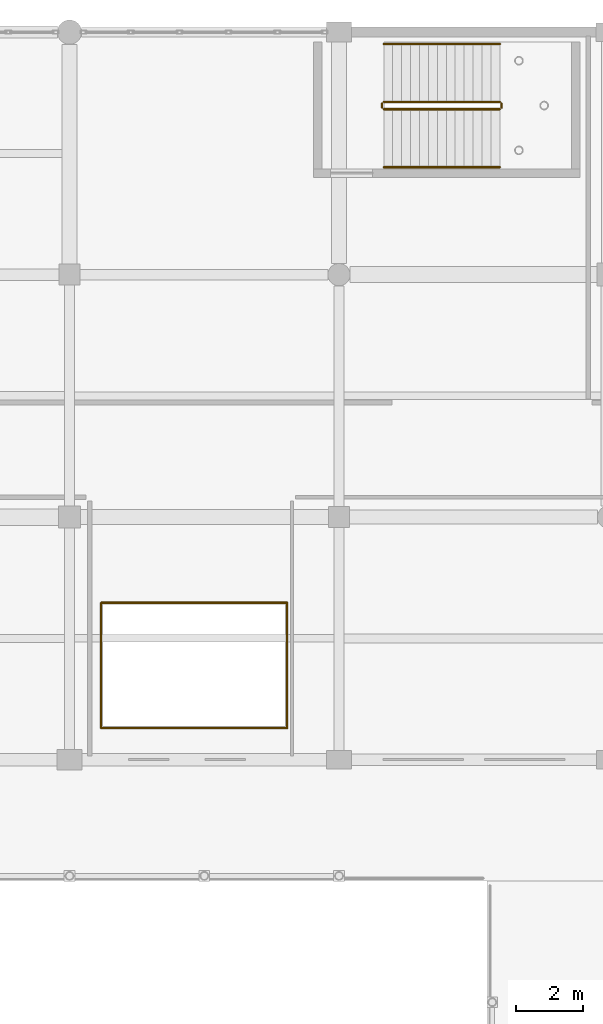
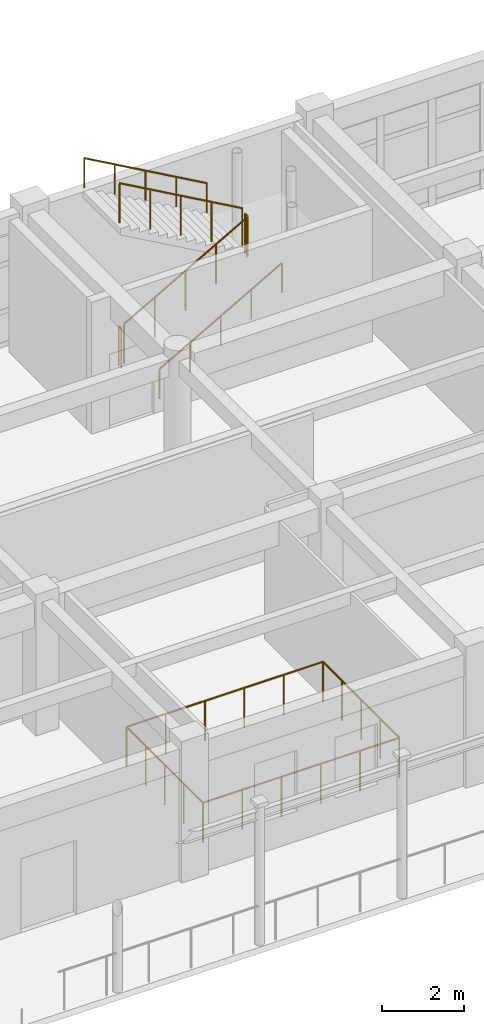
# One storey, part 195 of 195: 10 railings.
"""IFC4 building model written with IfcOpenShell, lengths in metres."""

import ifcopenshell
import ifcopenshell.guid

model = None  # the IFC model being written
_history = None  # IfcOwnerHistory: only IFC2X3 demands one
_inside = {}  # id of a spatial element -> (the spatial element, [elements in it])
_under = {}  # id of a project, library or spatial element -> (it, [spatial elements below it])
_declared = {}  # id of a project -> (the project, [libraries it declares])
_typed = {}  # id of a type object -> (the type object, [elements of that type])
_made_of = {}  # id of a material, layer set ... -> (it, [elements and type objects made of it])


def new_model(schema):
    """Start an empty IFC model of exactly this schema.

    Asked for "IFC4X3", IfcOpenShell would pick the latest addendum, in which some entities
    have other attributes; the version numbers below select the first issue.
    IFC2X3 requires an IfcOwnerHistory on every rooted entity: one is made here for all.
    """
    global model, _history
    if schema == "IFC4X3":
        model = ifcopenshell.file(schema_version=(4, 3, 0, 0))
    else:
        model = ifcopenshell.file(schema=schema)
    _inside.clear()
    _under.clear()
    _declared.clear()
    _typed.clear()
    _made_of.clear()
    _history = None
    if model.schema == "IFC2X3":
        org = make("IfcOrganization", Name="unknown")
        user = make(
            "IfcPersonAndOrganization",
            ThePerson=make("IfcPerson", FamilyName="unknown"),
            TheOrganization=org,
        )
        app = make(
            "IfcApplication",
            ApplicationDeveloper=org,
            Version="unknown",
            ApplicationFullName="unknown",
            ApplicationIdentifier="unknown",
        )
        _history = make(
            "IfcOwnerHistory",
            OwningUser=user,
            OwningApplication=app,
            ChangeAction="ADDED",
            CreationDate=0,
        )
    return model


def make(cls, **values):
    """One entity of the class cls with the attributes given. An attribute that is None is left unset."""
    return model.create_entity(
        cls, **{name: value for name, value in values.items() if value is not None}
    )


def rooted(cls, **values):
    """An entity with a GlobalId (a new one), such as an element, a storey or a relation."""
    return make(cls, GlobalId=ifcopenshell.guid.new(), OwnerHistory=_history, **values)


def si_unit(unit_type, name, prefix=None):
    """IfcSIUnit, for example si_unit("LENGTHUNIT", "METRE", prefix="MILLI")."""
    return make("IfcSIUnit", UnitType=unit_type, Prefix=prefix, Name=name)


def assignment(units):
    """IfcUnitAssignment: the units of a project."""
    return None if units is None else make("IfcUnitAssignment", Units=units)


def point(xyz):
    """IfcCartesianPoint."""
    return None if xyz is None else make("IfcCartesianPoint", Coordinates=xyz)


def direction(xyz):
    """IfcDirection."""
    return None if xyz is None else make("IfcDirection", DirectionRatios=xyz)


def frame(location, z_axis=None, x_axis=None):
    """IfcAxis2Placement3D, a coordinate frame: its origin and axes. An axis left out is left unset."""
    return make(
        "IfcAxis2Placement3D",
        Location=point(location),
        Axis=direction(z_axis),
        RefDirection=direction(x_axis),
    )


def frame_2d(location, x_axis=None):
    """IfcAxis2Placement2D, a coordinate frame in the plane: its origin and x axis."""
    return make(
        "IfcAxis2Placement2D", Location=point(location), RefDirection=direction(x_axis)
    )


def origin():
    """The frame at (0, 0, 0) with its axes left unset."""
    return frame((0.0, 0.0, 0.0))


def origin_2d():
    """The frame at (0, 0) in the plane with its x axis left unset."""
    return frame_2d((0.0, 0.0))


def place(relative_to, where):
    """IfcLocalPlacement: puts the frame where relative to a parent placement (None: the world)."""
    return make(
        "IfcLocalPlacement", PlacementRelTo=relative_to, RelativePlacement=where
    )


def context(
    kind, dimensions, precision=None, world=None, true_north=None, identifier=None
):
    """IfcGeometricRepresentationContext, for example the 3D "Model" context."""
    return make(
        "IfcGeometricRepresentationContext",
        ContextIdentifier=identifier,
        ContextType=kind,
        CoordinateSpaceDimension=dimensions,
        Precision=precision,
        WorldCoordinateSystem=world,
        TrueNorth=true_north,
    )


def subcontext(parent, identifier, kind, view, scale=None):
    """IfcGeometricRepresentationSubContext, for example "Body" below "Model"."""
    return make(
        "IfcGeometricRepresentationSubContext",
        ContextIdentifier=identifier,
        ContextType=kind,
        ParentContext=parent,
        TargetScale=scale,
        TargetView=view,
    )


def project(units=None, contexts=None):
    """IfcProject with its units and contexts."""
    return rooted(
        "IfcProject",
        Name="project",
        RepresentationContexts=contexts,
        UnitsInContext=assignment(units),
    )


def spatial(cls, under=None, at=None, **own):
    """A site, building, storey or space (cls), placed at a placement, below another one or the project."""
    s = rooted(cls, ObjectPlacement=at, **own)
    if under is not None:
        _under.setdefault(under.id(), (under, []))[1].append(s)
    return s


def profile(cls, at=None, kind="AREA", **sizes):
    """A parametric profile (cls). Its sizes go by their IFC names, for example OverallWidth=200.0."""
    return make(cls, ProfileType=kind, Position=at, **sizes)


def circle(**sizes):
    """IfcCircleProfileDef."""
    return profile("IfcCircleProfileDef", **sizes)


def extrude(swept, where, along, depth):
    """IfcExtrudedAreaSolid: the profile swept, set in the frame where, extruded along a direction by depth."""
    return make(
        "IfcExtrudedAreaSolid",
        SweptArea=swept,
        Position=where,
        ExtrudedDirection=direction(along),
        Depth=depth,
    )


def shape(context_of_items, identifier, shape_type, items):
    """IfcShapeRepresentation: the items that make up one representation, for example the "Body"."""
    return make(
        "IfcShapeRepresentation",
        ContextOfItems=context_of_items,
        RepresentationIdentifier=identifier,
        RepresentationType=shape_type,
        Items=items,
    )


def material(Name=None, Category=None):
    """IfcMaterial."""
    return make("IfcMaterial", Name=Name, Category=Category)


def made_of(thing, what):
    """Note that an element or type object is made of a material, layer set ...; save() writes the relation."""
    if what is not None:
        _made_of.setdefault(what.id(), (what, []))[1].append(thing)
    return thing


def type_object(cls, material=None, **own):
    """A type object (cls), such as IfcWallType, which elements share."""
    return made_of(rooted(cls, **own), material)


def element(
    cls,
    number,
    at=None,
    inside=None,
    cuts=None,
    type_object=None,
    material=None,
    context=None,
    identifier="Body",
    shape_type=None,
    held_by="IfcProductDefinitionShape",
    body=None,
    shapes=None,
    **own,
):
    """One element of the class cls, such as IfcWall. Its Tag is "e" and its number.

    at: its placement. inside: the storey or other place that contains it. cuts: it is an
    opening in that element (IfcRelVoidsElement). A single representation is given by context,
    identifier, shape_type and body (its items); several are given by shapes. held_by: the class
    of the entity that holds the representations. save() writes the other relations.
    """
    e = rooted(cls, Tag="e%d" % number, ObjectPlacement=at, **own)
    if body is not None:
        shapes = [shape(context, identifier, shape_type, body)]
    if shapes is not None:
        e.Representation = make(held_by, Representations=shapes)
    if inside is not None:
        _inside.setdefault(inside.id(), (inside, []))[1].append(e)
    if cuts is not None:
        rooted(
            "IfcRelVoidsElement", RelatingBuildingElement=cuts, RelatedOpeningElement=e
        )
    if type_object is not None:
        _typed.setdefault(type_object.id(), (type_object, []))[1].append(e)
    return made_of(e, material)


def aggregate(whole, parts):
    """IfcRelAggregates: a whole, such as a stair, and the parts it consists of."""
    return rooted("IfcRelAggregates", RelatingObject=whole, RelatedObjects=parts)


def save(model, path):
    """Write the relations noted so far, then the file.

    IfcRelAggregates (storeys below a building ...), IfcRelContainedInSpatialStructure (elements
    in a storey), IfcRelDefinesByType, IfcRelAssociatesMaterial and IfcRelDeclares: one each for
    every whole, place, type object, material and project.
    """
    for whole, parts in _under.values():
        aggregate(whole, parts)
    for where, things in _inside.values():
        rooted(
            "IfcRelContainedInSpatialStructure",
            RelatedElements=things,
            RelatingStructure=where,
        )
    for kind, things in _typed.values():
        rooted("IfcRelDefinesByType", RelatedObjects=things, RelatingType=kind)
    for what, things in _made_of.values():
        rooted("IfcRelAssociatesMaterial", RelatedObjects=things, RelatingMaterial=what)
    for by, libraries in _declared.values():
        rooted("IfcRelDeclares", RelatingContext=by, RelatedDefinitions=libraries)
    model.write(path)


model = new_model("IFC4")

# Units and contexts
model_context = context("Model", 3, precision=1e-05, world=origin(), true_north=direction((0.0, 1.0)))
body_context = subcontext(model_context, "Body", "Model", "MODEL_VIEW")
ifc_project = project(units=[si_unit("LENGTHUNIT", "METRE"), si_unit("AREAUNIT", "SQUARE_METRE"), si_unit("VOLUMEUNIT", "CUBIC_METRE"), si_unit("PLANEANGLEUNIT", "RADIAN"), si_unit("MASSUNIT", "GRAM", prefix="KILO")], contexts=[model_context])

# Site, building, storey
site_placement = place(None, origin())
site = spatial("IfcSite", under=ifc_project, at=site_placement, CompositionType="ELEMENT")
building_placement = place(site_placement, origin())
building = spatial("IfcBuilding", under=site, at=building_placement, Name="Kharva Crest Polytechnic", CompositionType="ELEMENT")
storey_placement = place(building_placement, frame((0.0, 0.0, 9.0)))
storey = spatial("IfcBuildingStorey", under=building, at=storey_placement, Name="L02", CompositionType="ELEMENT", Elevation=9.0)

# Railings
ifc_material_1 = material(Name="Anodised aluminium", Category="aluminium")
railing_type_1 = type_object("IfcRailingType", Name="RL-STAIR-GUARD-1200", PredefinedType="GUARDRAIL", material=ifc_material_1)
railing_1_placement = place(storey_placement, frame((146.1298828125, 119.7099609375, 0.14990234375)))
element("IfcRailing", 1, at=railing_1_placement, inside=storey, type_object=railing_type_1, Name="L02 ST-09 stair guard 1", PredefinedType="GUARDRAIL", context=body_context, shape_type="SweptSolid", body=[
    extrude(circle(Radius=0.02392578125, at=origin_2d()), frame((0.0, 0.0, 1.17578125), z_axis=(0.870239894607, 0.0, 0.492628182136), x_axis=(0.0, 1.0, 0.0)), (0.0, 0.0, 1.0), 3.958740234375),
    extrude(circle(Radius=0.02099609375, at=origin_2d()), origin(), (0.0, 0.0, 1.0), 1.15185546875),
    extrude(circle(Radius=0.02099609375, at=origin_2d()), frame((0.861328125, 0.0, 0.487548828125)), (0.0, 0.0, 1.0), 1.15185546875),
    extrude(circle(Radius=0.02099609375, at=origin_2d()), frame((1.72265625, 0.0, 0.97509765625)), (0.0, 0.0, 1.0), 1.15185546875),
    extrude(circle(Radius=0.02099609375, at=origin_2d()), frame((2.583740234375, 0.0, 1.462646484375)), (0.0, 0.0, 1.0), 1.15185546875),
    extrude(circle(Radius=0.02099609375, at=origin_2d()), frame((3.445068359375, 0.0, 1.9501953125)), (0.0, 0.0, 1.0), 1.15185546875),
])
railing_2_placement = place(storey_placement, frame((149.625, 119.760009765625, 2.10009765625)))
element("IfcRailing", 2, at=railing_2_placement, inside=storey, type_object=railing_type_1, Name="L02 ST-09 stair guard 2", PredefinedType="GUARDRAIL", context=body_context, shape_type="SweptSolid", body=[
    extrude(circle(Radius=0.02392578125, at=origin_2d()), frame((0.0, 0.0, 1.17578125), z_axis=(0.0, 1.0, 0.0), x_axis=(-1.0, 0.0, 0.0)), (0.0, 0.0, 1.0), 0.119873046875),
    extrude(circle(Radius=0.02099609375, at=origin_2d()), origin(), (0.0, 0.0, 1.0), 1.15185546875),
    extrude(circle(Radius=0.02099609375, at=origin_2d()), frame((0.0, 0.119873046875, 0.0)), (0.0, 0.0, 1.0), 1.15185546875),
])
railing_3_placement = place(storey_placement, frame((149.574951171875, 119.929931640625, 2.25)))
element("IfcRailing", 3, at=railing_3_placement, inside=storey, type_object=railing_type_1, Name="L02 ST-09 stair guard 3", PredefinedType="GUARDRAIL", context=body_context, shape_type="SweptSolid", body=[
    extrude(circle(Radius=0.02392578125, at=origin_2d()), frame((0.0, 0.0, 1.17578125), z_axis=(-0.870266332817, 0.0, 0.492581475459), x_axis=(0.0, -1.0, 0.0)), (0.0, 0.0, 1.0), 3.958740234375),
    extrude(circle(Radius=0.02099609375, at=origin_2d()), origin(), (0.0, 0.0, 1.0), 1.15185546875),
    extrude(circle(Radius=0.02099609375, at=origin_2d()), frame((-0.861328125, 0.0, 0.487548828125)), (0.0, 0.0, 1.0), 1.15185546875),
    extrude(circle(Radius=0.02099609375, at=origin_2d()), frame((-1.72265625, 0.0, 0.97509765625)), (0.0, 0.0, 1.0), 1.15185546875),
    extrude(circle(Radius=0.02099609375, at=origin_2d()), frame((-2.583740234375, 0.0, 1.46240234375)), (0.0, 0.0, 1.0), 1.15185546875),
    extrude(circle(Radius=0.02099609375, at=origin_2d()), frame((-3.445068359375, 0.0, 1.949951171875)), (0.0, 0.0, 1.0), 1.15185546875),
])
railing_4_placement = place(storey_placement, frame((146.080078125, 119.760009765625, 0.0)))
element("IfcRailing", 4, at=railing_4_placement, inside=storey, type_object=railing_type_1, Name="L02 ST-09 stair guard 4", PredefinedType="GUARDRAIL", context=body_context, shape_type="SweptSolid", body=[
    extrude(circle(Radius=0.02392578125, at=origin_2d()), frame((0.0, 0.0, 1.17578125), z_axis=(0.0, 1.0, 0.0), x_axis=(-1.0, 0.0, 0.0)), (0.0, 0.0, 1.0), 0.119873046875),
    extrude(circle(Radius=0.02099609375, at=origin_2d()), origin(), (0.0, 0.0, 1.0), 1.15185546875),
    extrude(circle(Radius=0.02099609375, at=origin_2d()), frame((0.0, 0.119873046875, 0.0)), (0.0, 0.0, 1.0), 1.15185546875),
])
ifc_material_2 = material(Name="Teak timber", Category="wood")
railing_type_2 = type_object("IfcRailingType", Name="RL-STAIR-HAND-900", PredefinedType="HANDRAIL", material=ifc_material_2)
railing_5_placement = place(storey_placement, frame((146.1298828125, 117.989990234375, 0.14990234375)))
element("IfcRailing", 5, at=railing_5_placement, inside=storey, type_object=railing_type_2, Name="L02 ST-09 stair handrail 1", PredefinedType="HANDRAIL", context=body_context, shape_type="SweptSolid", body=[
    extrude(circle(Radius=0.02392578125, at=origin_2d()), frame((0.0, 0.0, 0.8759765625), z_axis=(0.870239894607, 0.0, 0.492628182136), x_axis=(0.0, 1.0, 0.0)), (0.0, 0.0, 1.0), 3.958740234375),
    extrude(circle(Radius=0.02099609375, at=origin_2d()), origin(), (0.0, 0.0, 1.0), 0.851806640625),
    extrude(circle(Radius=0.02099609375, at=origin_2d()), frame((0.861328125, 0.0, 0.487548828125)), (0.0, 0.0, 1.0), 0.851806640625),
    extrude(circle(Radius=0.02099609375, at=origin_2d()), frame((1.72265625, 0.0, 0.97509765625)), (0.0, 0.0, 1.0), 0.851806640625),
    extrude(circle(Radius=0.02099609375, at=origin_2d()), frame((2.583740234375, 0.0, 1.462646484375)), (0.0, 0.0, 1.0), 0.851806640625),
    extrude(circle(Radius=0.02099609375, at=origin_2d()), frame((3.445068359375, 0.0, 1.9501953125)), (0.0, 0.0, 1.0), 0.851806640625),
])
railing_6_placement = place(storey_placement, frame((149.574951171875, 121.64990234375, 2.25)))
element("IfcRailing", 6, at=railing_6_placement, inside=storey, type_object=railing_type_2, Name="L02 ST-09 stair handrail 2", PredefinedType="HANDRAIL", context=body_context, shape_type="SweptSolid", body=[
    extrude(circle(Radius=0.02392578125, at=origin_2d()), frame((0.0, 0.0, 0.8759765625), z_axis=(-0.870266332817, 0.0, 0.492581475459), x_axis=(0.0, -1.0, 0.0)), (0.0, 0.0, 1.0), 3.958740234375),
    extrude(circle(Radius=0.02099609375, at=origin_2d()), origin(), (0.0, 0.0, 1.0), 0.851806640625),
    extrude(circle(Radius=0.02099609375, at=origin_2d()), frame((-0.861328125, 0.0, 0.487548828125)), (0.0, 0.0, 1.0), 0.851806640625),
    extrude(circle(Radius=0.02099609375, at=origin_2d()), frame((-1.72265625, 0.0, 0.97509765625)), (0.0, 0.0, 1.0), 0.851806640625),
    extrude(circle(Radius=0.02099609375, at=origin_2d()), frame((-2.583740234375, 0.0, 1.46240234375)), (0.0, 0.0, 1.0), 0.851806640625),
    extrude(circle(Radius=0.02099609375, at=origin_2d()), frame((-3.445068359375, 0.0, 1.949951171875)), (0.0, 0.0, 1.0), 0.851806640625),
])
railing_type_3 = type_object("IfcRailingType", Name="RL-VOID-GUARD-1200", PredefinedType="GUARDRAIL", material=ifc_material_1)
railing_7_placement = place(storey_placement, frame((137.739990234375, 101.340087890625, 0.0)))
element("IfcRailing", 7, at=railing_7_placement, inside=storey, type_object=railing_type_3, Name="L02 Atrium Void Guard 25", PredefinedType="GUARDRAIL", context=body_context, shape_type="SweptSolid", body=[
    extrude(circle(Radius=0.02392578125, at=origin_2d()), frame((0.0, 0.0, 1.17578125), z_axis=(1.0, 0.0, 0.0), x_axis=(0.0, 1.0, 0.0)), (0.0, 0.0, 1.0), 5.52001953125),
    extrude(circle(Radius=0.02099609375, at=origin_2d()), origin(), (0.0, 0.0, 1.0), 1.15185546875),
    extrude(circle(Radius=0.02099609375, at=origin_2d()), frame((1.10400390625, 0.0, 0.0)), (0.0, 0.0, 1.0), 1.15185546875),
    extrude(circle(Radius=0.02099609375, at=origin_2d()), frame((2.2080078125, 0.0, 0.0)), (0.0, 0.0, 1.0), 1.15185546875),
    extrude(circle(Radius=0.02099609375, at=origin_2d()), frame((3.31201171875, 0.0, 0.0)), (0.0, 0.0, 1.0), 1.15185546875),
    extrude(circle(Radius=0.02099609375, at=origin_2d()), frame((4.416015625, 0.0, 0.0)), (0.0, 0.0, 1.0), 1.15185546875),
    extrude(circle(Radius=0.02099609375, at=origin_2d()), frame((5.52001953125, 0.0, 0.0)), (0.0, 0.0, 1.0), 1.15185546875),
])
railing_8_placement = place(storey_placement, frame((143.260009765625, 101.340087890625, 0.0)))
element("IfcRailing", 8, at=railing_8_placement, inside=storey, type_object=railing_type_3, Name="L02 Atrium Void Guard 26", PredefinedType="GUARDRAIL", context=body_context, shape_type="SweptSolid", body=[
    extrude(circle(Radius=0.02392578125, at=origin_2d()), frame((0.0, 0.0, 1.17578125), z_axis=(0.0, 1.0, 0.0), x_axis=(-1.0, 0.0, 0.0)), (0.0, 0.0, 1.0), 3.719970703125),
    extrude(circle(Radius=0.02099609375, at=origin_2d()), origin(), (0.0, 0.0, 1.0), 1.15185546875),
    extrude(circle(Radius=0.02099609375, at=origin_2d()), frame((0.0, 0.929931640625, 0.0)), (0.0, 0.0, 1.0), 1.15185546875),
    extrude(circle(Radius=0.02099609375, at=origin_2d()), frame((0.0, 1.85986328125, 0.0)), (0.0, 0.0, 1.0), 1.15185546875),
    extrude(circle(Radius=0.02099609375, at=origin_2d()), frame((0.0, 2.7900390625, 0.0)), (0.0, 0.0, 1.0), 1.15185546875),
    extrude(circle(Radius=0.02099609375, at=origin_2d()), frame((0.0, 3.719970703125, 0.0)), (0.0, 0.0, 1.0), 1.15185546875),
])
railing_9_placement = place(storey_placement, frame((143.260009765625, 105.06005859375, 0.0)))
element("IfcRailing", 9, at=railing_9_placement, inside=storey, type_object=railing_type_3, Name="L02 Atrium Void Guard 27", PredefinedType="GUARDRAIL", context=body_context, shape_type="SweptSolid", body=[
    extrude(circle(Radius=0.02392578125, at=origin_2d()), frame((0.0, 0.0, 1.17578125), z_axis=(-1.0, 0.0, 0.0), x_axis=(0.0, -1.0, 0.0)), (0.0, 0.0, 1.0), 5.52001953125),
    extrude(circle(Radius=0.02099609375, at=origin_2d()), origin(), (0.0, 0.0, 1.0), 1.15185546875),
    extrude(circle(Radius=0.02099609375, at=origin_2d()), frame((-1.10400390625, 0.0, 0.0)), (0.0, 0.0, 1.0), 1.15185546875),
    extrude(circle(Radius=0.02099609375, at=origin_2d()), frame((-2.2080078125, 0.0, 0.0)), (0.0, 0.0, 1.0), 1.15185546875),
    extrude(circle(Radius=0.02099609375, at=origin_2d()), frame((-3.31201171875, 0.0, 0.0)), (0.0, 0.0, 1.0), 1.15185546875),
    extrude(circle(Radius=0.02099609375, at=origin_2d()), frame((-4.416015625, 0.0, 0.0)), (0.0, 0.0, 1.0), 1.15185546875),
    extrude(circle(Radius=0.02099609375, at=origin_2d()), frame((-5.52001953125, 0.0, 0.0)), (0.0, 0.0, 1.0), 1.15185546875),
])
railing_10_placement = place(storey_placement, frame((137.739990234375, 105.06005859375, 0.0)))
element("IfcRailing", 10, at=railing_10_placement, inside=storey, type_object=railing_type_3, Name="L02 Atrium Void Guard 28", PredefinedType="GUARDRAIL", context=body_context, shape_type="SweptSolid", body=[
    extrude(circle(Radius=0.02392578125, at=origin_2d()), frame((0.0, 0.0, 1.17578125), z_axis=(0.0, -1.0, 0.0), x_axis=(1.0, 0.0, 0.0)), (0.0, 0.0, 1.0), 3.719970703125),
    extrude(circle(Radius=0.02099609375, at=origin_2d()), origin(), (0.0, 0.0, 1.0), 1.15185546875),
    extrude(circle(Radius=0.02099609375, at=origin_2d()), frame((0.0, -0.929931640625, 0.0)), (0.0, 0.0, 1.0), 1.15185546875),
    extrude(circle(Radius=0.02099609375, at=origin_2d()), frame((0.0, -1.85986328125, 0.0)), (0.0, 0.0, 1.0), 1.15185546875),
    extrude(circle(Radius=0.02099609375, at=origin_2d()), frame((0.0, -2.7900390625, 0.0)), (0.0, 0.0, 1.0), 1.15185546875),
    extrude(circle(Radius=0.02099609375, at=origin_2d()), frame((0.0, -3.719970703125, 0.0)), (0.0, 0.0, 1.0), 1.15185546875),
])

save(model, "model.ifc")
